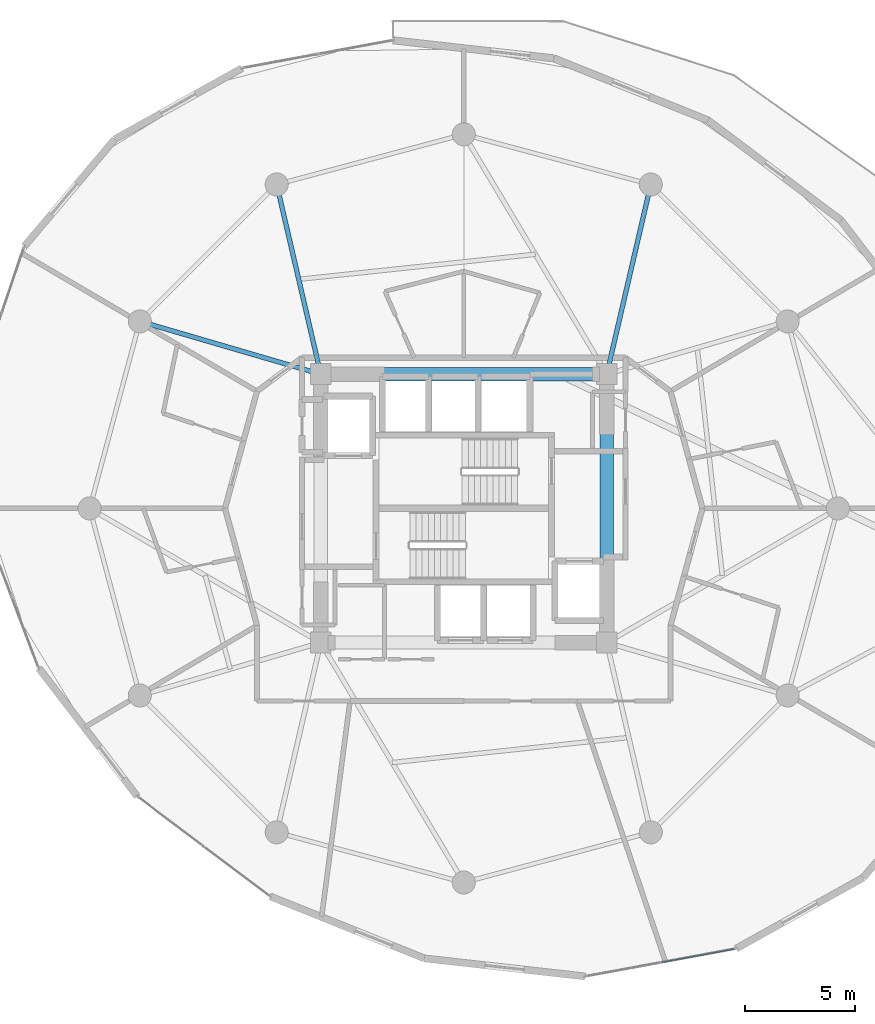
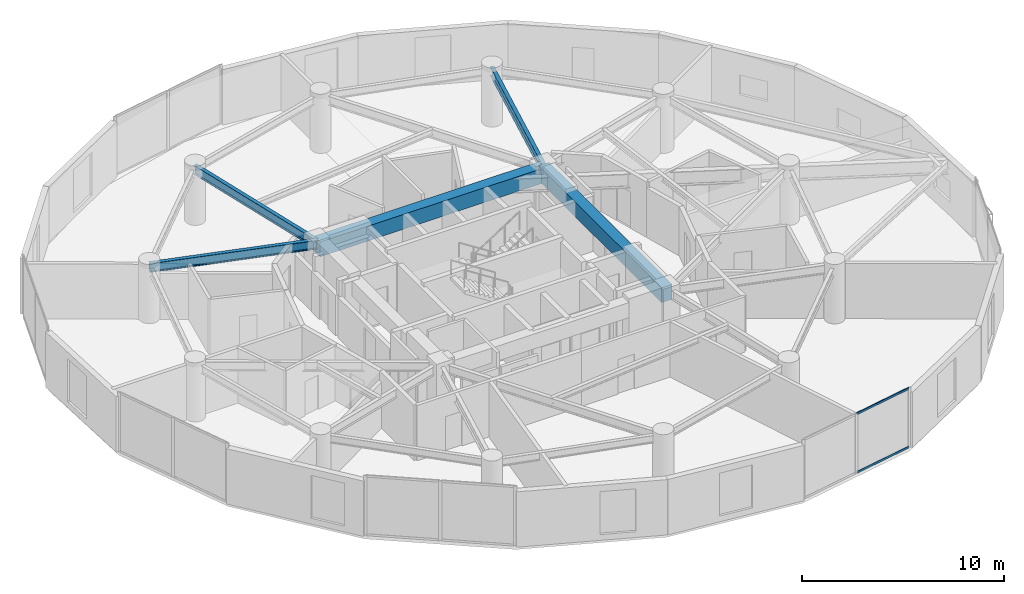
# One storey, part 9 of 23: 5 beams, 2 members, 1 element without a shape of its own.
"""IFC4 building model written with IfcOpenShell, lengths in metres."""

from ifc_helpers import new_model, si_unit, direction, frame, origin, origin_2d, place, context, subcontext, project, spatial, rectangle, hollow_rectangle, i_section, extrude, source, transform, mapped, material, layer, layer_set, material_profile, profile_set, type_object, element, aggregate, save


model = new_model("IFC4")

# Units and contexts
model_context = context("Model", 3, precision=1e-05, world=origin(), true_north=direction((0.0, 1.0)))
body_context = subcontext(model_context, "Body", "Model", "MODEL_VIEW")
ifc_project = project(units=[si_unit("LENGTHUNIT", "METRE"), si_unit("AREAUNIT", "SQUARE_METRE"), si_unit("VOLUMEUNIT", "CUBIC_METRE"), si_unit("PLANEANGLEUNIT", "RADIAN"), si_unit("MASSUNIT", "GRAM", prefix="KILO")], contexts=[model_context])

# Site, building, storey
site_placement = place(None, origin())
site = spatial("IfcSite", under=ifc_project, at=site_placement, CompositionType="ELEMENT")
building_placement = place(site_placement, origin())
building = spatial("IfcBuilding", under=site, at=building_placement, Name="Solvirekh Grand Hotel", CompositionType="ELEMENT")
storey_placement = place(building_placement, frame((0.0, 0.0, 109.800048828125)))
storey = spatial("IfcBuildingStorey", under=building, at=storey_placement, Name="L27", CompositionType="ELEMENT", Elevation=109.800048828125)

# Beams
ifc_material_1 = material(Name="Concrete C50/60", Category="concrete")
ifc_material_profile_1 = material_profile(ifc_material_1, rectangle(XDim=0.60009765625, YDim=0.89990234375, at=origin_2d()), Name="RC BEAM 600X900")
ifc_profile_set_1 = profile_set([ifc_material_profile_1], Name="Concrete C50/60")
beam_type_1 = type_object("IfcBeamType", Name="Beam_Core_RC900", PredefinedType="BEAM", material=ifc_profile_set_1)
beam_1_placement = place(storey_placement, frame((6.5, -6.10009765625, 2.89990234375), z_axis=(0.0, 1.0, 0.0), x_axis=(-1.0, 0.0, 0.0)))
element("IfcBeam", 1, at=beam_1_placement, inside=storey, type_object=beam_type_1, Name="L27 core coupling ring beam 2", PredefinedType="BEAM", context=body_context, shape_type="SweptSolid", body=[
    extrude(rectangle(XDim=0.60009765625, YDim=0.89990234375, at=origin_2d()), origin(), (0.0, 0.0, 1.0), 12.2001953125),
])
beam_2_placement = place(storey_placement, frame((6.5, 6.10009765625, 2.89990234375), z_axis=(-1.0, 0.0, 0.0), x_axis=(0.0, -1.0, 0.0)))
element("IfcBeam", 2, at=beam_2_placement, inside=storey, type_object=beam_type_1, Name="L27 core coupling ring beam 3", PredefinedType="BEAM", context=body_context, shape_type="SweptSolid", body=[
    extrude(rectangle(XDim=0.60009765625, YDim=0.89990234375, at=origin_2d()), origin(), (0.0, 0.0, 1.0), 13.0),
])
ifc_material_2 = material(Name="Steel S355", Category="steel")
ifc_material_profile_2 = material_profile(ifc_material_2, i_section(OverallWidth=0.2119140625, OverallDepth=0.5439453125, WebThickness=0.011962890625, FlangeThickness=0.01904296875, FilletRadius=0.013916015625, at=origin_2d()), Name="W530X123")
ifc_profile_set_2 = profile_set([ifc_material_profile_2], Name="Steel S355")
beam_type_2 = type_object("IfcBeamType", Name="Beam_Radial_W530H", PredefinedType="BEAM", material=ifc_profile_set_2)
for number, where, z_axis, x_axis, name in (
    (3, (6.5, 6.10009765625, 3.077880859375), (0.225969390542, 0.974134402707, 0.0), (-0.974134402707, 0.225969390542, 0.0), "L27 radial floor beam R03"),
    (4, (-6.5, 6.10009765625, 3.077880859375), (-0.225969390542, 0.974134402707, 0.0), (-0.974134402707, -0.225969390542, 0.0), "L27 radial floor beam R05"),
):
    element("IfcBeam", number, at=place(storey_placement, frame(where, z_axis=z_axis, x_axis=x_axis)), inside=storey, type_object=beam_type_2, Name=name, PredefinedType="BEAM", context=body_context, shape_type="SweptSolid", body=[
        extrude(i_section(OverallWidth=0.2119140625, OverallDepth=0.5439453125, WebThickness=0.011962890625, FlangeThickness=0.01904296875, FilletRadius=0.013916015625, at=origin_2d()), origin(), (0.0, 0.0, 1.0), 8.850830078125),
    ])
beam_3_placement = place(storey_placement, frame((-6.5, 6.10009765625, 3.077880859375), z_axis=(-0.959942195467, 0.28019811092, 0.0), x_axis=(-0.28019811092, -0.959942195467, 0.0)))
element("IfcBeam", 5, at=beam_3_placement, inside=storey, type_object=beam_type_2, Name="L27 radial floor beam R06", PredefinedType="BEAM", context=body_context, shape_type="SweptSolid", body=[
    extrude(i_section(OverallWidth=0.2119140625, OverallDepth=0.5439453125, WebThickness=0.011962890625, FlangeThickness=0.01904296875, FilletRadius=0.013916015625, at=origin_2d()), origin(), (0.0, 0.0, 1.0), 8.56494140625),
])

# Curtain wall, members
ifc_material_3 = material(Name="Anodized Bronze Aluminium 6063-T6", Category="aluminium")
ifc_layer = layer(ifc_material_3, 0.175048828125)
ifc_layer_set = layer_set([ifc_layer], Name="Anodized Bronze Aluminium 6063-T6")
curtain_wall_type = type_object("IfcCurtainWallType", Name="CW_Sys3_MidZoneFlushBronzeCW", PredefinedType="NOTDEFINED", material=ifc_layer_set)
curtain_wall_placement = place(storey_placement, origin())
curtain_wall = element("IfcCurtainWall", 6, at=curtain_wall_placement, inside=storey, type_object=curtain_wall_type, Name="L27 unitised bronze-glass curtain wall CW-L27-C18", PredefinedType="NOTDEFINED")
ifc_material_profile_3 = material_profile(ifc_material_3, hollow_rectangle(XDim=0.054931640625, YDim=0.1201171875, WallThickness=0.00390625, at=origin_2d()), Name="ALU RHS 120X55X4")
ifc_profile_set_3 = profile_set([ifc_material_profile_3], Name="Anodized Bronze Aluminium 6063-T6")
member_type = type_object("IfcMemberType", Name="CWTransom_Sys3", PredefinedType="USERDEFINED", material=ifc_profile_set_3)
shared_shape = source(origin(), body_context, "Body", "SweptSolid", [
    extrude(hollow_rectangle(XDim=0.054931640625, YDim=0.1201171875, WallThickness=0.00390625, at=origin_2d()), origin(), (0.0, 0.0, 1.0), 3.397216796875),
])
member_1_placement = place(storey_placement, frame((8.97998046875, -20.634521484375, 0.02734375), z_axis=(0.983490568923, 0.180959390029, 0.0), x_axis=(-0.180959390029, 0.983490568923, 0.0)))
member_1 = element("IfcMember", 7, at=member_1_placement, type_object=member_type, Name="U03 transom 2.1", ObjectType="TRANSOM", PredefinedType="USERDEFINED", context=body_context, shape_type="MappedRepresentation", body=[
    mapped(shared_shape, transform((0.0, 0.0, 0.0), x_axis=(1.0, 0.0, 0.0), y_axis=(0.0, 1.0, 0.0), z_axis=(0.0, 0.0, 1.0), scale=1.0)),
])
member_2_placement = place(storey_placement, frame((8.97998046875, -20.634521484375, 3.572509765625), z_axis=(0.983490568923, 0.180959390029, 0.0), x_axis=(-0.180959390029, 0.983490568923, 0.0)))
member_2 = element("IfcMember", 8, at=member_2_placement, type_object=member_type, Name="U03 transom 2.2", ObjectType="TRANSOM", PredefinedType="USERDEFINED", context=body_context, shape_type="MappedRepresentation", body=[
    mapped(shared_shape, transform((0.0, 0.0, 0.0), x_axis=(1.0, 0.0, 0.0), y_axis=(0.0, 1.0, 0.0), z_axis=(0.0, 0.0, 1.0), scale=1.0)),
])
aggregate(curtain_wall, [member_1, member_2])

save(model, "model.ifc")
